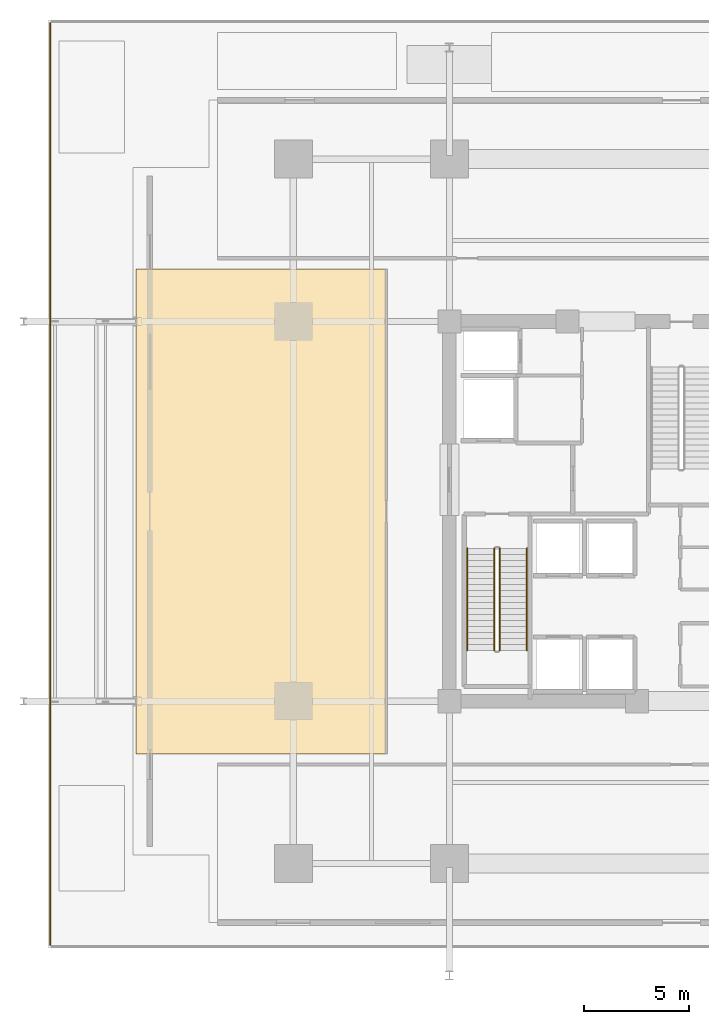
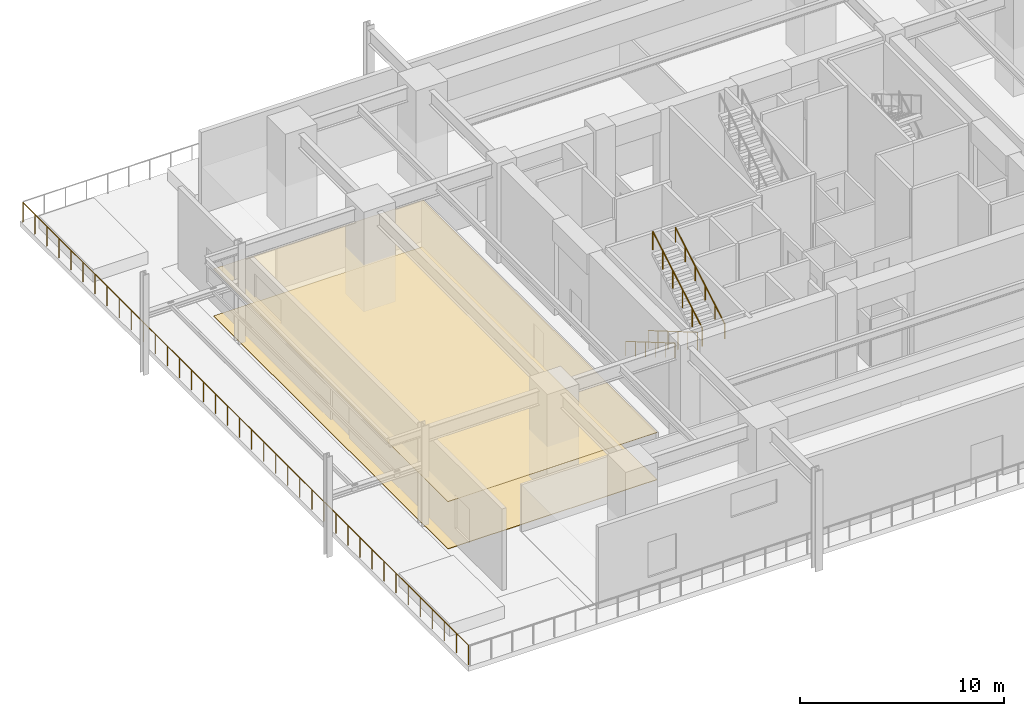
# One storey, part 12 of 14: 5 railings, 2 coverings.
"""IFC4 building model written with IfcOpenShell, lengths in metres."""

from ifc_helpers import new_model, si_unit, direction, frame, origin, origin_2d, place, context, subcontext, project, spatial, polyline, circle, outline, extrude, material, layer, layer_set, type_object, element, save


model = new_model("IFC4")

# Units and contexts
model_context = context("Model", 3, precision=1e-05, world=origin(), true_north=direction((0.0, 1.0)))
body_context = subcontext(model_context, "Body", "Model", "MODEL_VIEW")
ifc_project = project(units=[si_unit("LENGTHUNIT", "METRE"), si_unit("AREAUNIT", "SQUARE_METRE"), si_unit("VOLUMEUNIT", "CUBIC_METRE"), si_unit("PLANEANGLEUNIT", "RADIAN"), si_unit("MASSUNIT", "GRAM", prefix="KILO")], contexts=[model_context])

# Site, building, storey
site_placement = place(None, origin())
site = spatial("IfcSite", under=ifc_project, at=site_placement, CompositionType="ELEMENT")
building_placement = place(site_placement, origin())
building = spatial("IfcBuilding", under=site, at=building_placement, Name="Kovane Verandah Tower", CompositionType="ELEMENT")
storey_placement = place(building_placement, frame((0.0, 0.0, 21.60009765625)))
storey = spatial("IfcBuildingStorey", under=building, at=storey_placement, Name="L04", CompositionType="ELEMENT", Elevation=21.60009765625)

# Coverings
ifc_material_1 = material(Name="Perforated Acoustic Mineral-Fibre Ceiling Tile", Category="gypsum")
ifc_layer_1 = layer(ifc_material_1, 0.02490234375)
ifc_layer_set_1 = layer_set([ifc_layer_1], Name="Perforated Acoustic Mineral-Fibre Ceiling Tile")
covering_type_1 = type_object("IfcCoveringType", Name="CV-CEIL-25", PredefinedType="CEILING", material=ifc_layer_set_1)
covering_1_placement = place(storey_placement, frame((0.0, 0.0, 2.824951171875)))
element("IfcCovering", 1, at=covering_1_placement, inside=storey, type_object=covering_type_1, Name="L04 West Conservatory Co-Working Suite Acoustic Ceiling", PredefinedType="CEILING", context=body_context, shape_type="SweptSolid", body=[
    extrude(outline(polyline([(14.14990234375, 16.0), (26.0, 16.0), (26.0, 39.0), (14.14990234375, 39.0), (14.14990234375, 16.0)])), origin(), (0.0, 0.0, 1.0), 0.02490234375),
])
ifc_material_2 = material(Name="Polished Terrazzo and Raised-Access Carpet Tile Finish", Category="concrete")
ifc_layer_2 = layer(ifc_material_2, 0.030029296875)
ifc_layer_set_2 = layer_set([ifc_layer_2], Name="Polished Terrazzo and Raised-Access Carpet Tile Finish")
covering_type_2 = type_object("IfcCoveringType", Name="CV-FLOR-30", PredefinedType="FLOORING", material=ifc_layer_set_2)
covering_2_placement = place(storey_placement, origin())
element("IfcCovering", 2, at=covering_2_placement, inside=storey, type_object=covering_type_2, Name="L04 West Conservatory Co-Working Suite Floor Finish", PredefinedType="FLOORING", context=body_context, shape_type="SweptSolid", body=[
    extrude(outline(polyline([(14.14990234375, 16.0), (26.0, 16.0), (26.0, 39.0), (14.14990234375, 39.0), (14.14990234375, 16.0)])), origin(), (0.0, 0.0, 1.0), 0.02978515625),
])

# Railings
ifc_material_3 = material(Name="Pale-Champagne Stainless Steel and Glass Perimeter Guard", Category="steel")
railing_type_1 = type_object("IfcRailingType", Name="RL-GDN-1200", PredefinedType="GUARDRAIL", material=ifc_material_3)
railing_1_placement = place(storey_placement, frame((10.080078125, 50.659912109375, 0.0)))
element("IfcRailing", 3, at=railing_1_placement, inside=storey, type_object=railing_type_1, Name="L04 Raised Public Garden Perimeter Guard W", PredefinedType="GUARDRAIL", context=body_context, shape_type="SweptSolid", body=[
    extrude(circle(Radius=0.02392578125, at=origin_2d()), frame((0.0, 0.0, 1.17578125), z_axis=(0.0, -1.0, 0.0), x_axis=(1.0, 0.0, 0.0)), (0.0, 0.0, 1.0), 43.719970703125),
    extrude(circle(Radius=0.02099609375, at=origin_2d()), origin(), (0.0, 0.0, 1.0), 1.15185546875),
    extrude(circle(Radius=0.02099609375, at=origin_2d()), frame((0.0, -1.181640625, 0.0)), (0.0, 0.0, 1.0), 1.15185546875),
    extrude(circle(Radius=0.02099609375, at=origin_2d()), frame((0.0, -2.36328125, 0.0)), (0.0, 0.0, 1.0), 1.15185546875),
    extrude(circle(Radius=0.02099609375, at=origin_2d()), frame((0.0, -3.544921875, 0.0)), (0.0, 0.0, 1.0), 1.15185546875),
    extrude(circle(Radius=0.02099609375, at=origin_2d()), frame((0.0, -4.7265625, 0.0)), (0.0, 0.0, 1.0), 1.15185546875),
    extrude(circle(Radius=0.02099609375, at=origin_2d()), frame((0.0, -5.908203125, 0.0)), (0.0, 0.0, 1.0), 1.15185546875),
    extrude(circle(Radius=0.02099609375, at=origin_2d()), frame((0.0, -7.08984375, 0.0)), (0.0, 0.0, 1.0), 1.15185546875),
    extrude(circle(Radius=0.02099609375, at=origin_2d()), frame((0.0, -8.271240234375, 0.0)), (0.0, 0.0, 1.0), 1.15185546875),
    extrude(circle(Radius=0.02099609375, at=origin_2d()), frame((0.0, -9.452880859375, 0.0)), (0.0, 0.0, 1.0), 1.15185546875),
    extrude(circle(Radius=0.02099609375, at=origin_2d()), frame((0.0, -10.634521484375, 0.0)), (0.0, 0.0, 1.0), 1.15185546875),
    extrude(circle(Radius=0.02099609375, at=origin_2d()), frame((0.0, -11.816162109375, 0.0)), (0.0, 0.0, 1.0), 1.15185546875),
    extrude(circle(Radius=0.02099609375, at=origin_2d()), frame((0.0, -12.997802734375, 0.0)), (0.0, 0.0, 1.0), 1.15185546875),
    extrude(circle(Radius=0.02099609375, at=origin_2d()), frame((0.0, -14.179443359375, 0.0)), (0.0, 0.0, 1.0), 1.15185546875),
    extrude(circle(Radius=0.02099609375, at=origin_2d()), frame((0.0, -15.361083984375, 0.0)), (0.0, 0.0, 1.0), 1.15185546875),
    extrude(circle(Radius=0.02099609375, at=origin_2d()), frame((0.0, -16.542724609375, 0.0)), (0.0, 0.0, 1.0), 1.15185546875),
    extrude(circle(Radius=0.02099609375, at=origin_2d()), frame((0.0, -17.724365234375, 0.0)), (0.0, 0.0, 1.0), 1.15185546875),
    extrude(circle(Radius=0.02099609375, at=origin_2d()), frame((0.0, -18.906005859375, 0.0)), (0.0, 0.0, 1.0), 1.15185546875),
    extrude(circle(Radius=0.02099609375, at=origin_2d()), frame((0.0, -20.087646484375, 0.0)), (0.0, 0.0, 1.0), 1.15185546875),
    extrude(circle(Radius=0.02099609375, at=origin_2d()), frame((0.0, -21.269287109375, 0.0)), (0.0, 0.0, 1.0), 1.15185546875),
    extrude(circle(Radius=0.02099609375, at=origin_2d()), frame((0.0, -22.45068359375, 0.0)), (0.0, 0.0, 1.0), 1.15185546875),
    extrude(circle(Radius=0.02099609375, at=origin_2d()), frame((0.0, -23.63232421875, 0.0)), (0.0, 0.0, 1.0), 1.15185546875),
    extrude(circle(Radius=0.02099609375, at=origin_2d()), frame((0.0, -24.81396484375, 0.0)), (0.0, 0.0, 1.0), 1.15185546875),
    extrude(circle(Radius=0.02099609375, at=origin_2d()), frame((0.0, -25.99560546875, 0.0)), (0.0, 0.0, 1.0), 1.15185546875),
    extrude(circle(Radius=0.02099609375, at=origin_2d()), frame((0.0, -27.17724609375, 0.0)), (0.0, 0.0, 1.0), 1.15185546875),
    extrude(circle(Radius=0.02099609375, at=origin_2d()), frame((0.0, -28.35888671875, 0.0)), (0.0, 0.0, 1.0), 1.15185546875),
    extrude(circle(Radius=0.02099609375, at=origin_2d()), frame((0.0, -29.54052734375, 0.0)), (0.0, 0.0, 1.0), 1.15185546875),
    extrude(circle(Radius=0.02099609375, at=origin_2d()), frame((0.0, -30.72216796875, 0.0)), (0.0, 0.0, 1.0), 1.15185546875),
    extrude(circle(Radius=0.02099609375, at=origin_2d()), frame((0.0, -31.90380859375, 0.0)), (0.0, 0.0, 1.0), 1.15185546875),
    extrude(circle(Radius=0.02099609375, at=origin_2d()), frame((0.0, -33.08544921875, 0.0)), (0.0, 0.0, 1.0), 1.15185546875),
    extrude(circle(Radius=0.02099609375, at=origin_2d()), frame((0.0, -34.26708984375, 0.0)), (0.0, 0.0, 1.0), 1.15185546875),
    extrude(circle(Radius=0.02099609375, at=origin_2d()), frame((0.0, -35.44873046875, 0.0)), (0.0, 0.0, 1.0), 1.15185546875),
    extrude(circle(Radius=0.02099609375, at=origin_2d()), frame((0.0, -36.630126953125, 0.0)), (0.0, 0.0, 1.0), 1.15185546875),
    extrude(circle(Radius=0.02099609375, at=origin_2d()), frame((0.0, -37.811767578125, 0.0)), (0.0, 0.0, 1.0), 1.15185546875),
    extrude(circle(Radius=0.02099609375, at=origin_2d()), frame((0.0, -38.993408203125, 0.0)), (0.0, 0.0, 1.0), 1.15185546875),
    extrude(circle(Radius=0.02099609375, at=origin_2d()), frame((0.0, -40.175048828125, 0.0)), (0.0, 0.0, 1.0), 1.15185546875),
    extrude(circle(Radius=0.02099609375, at=origin_2d()), frame((0.0, -41.356689453125, 0.0)), (0.0, 0.0, 1.0), 1.15185546875),
    extrude(circle(Radius=0.02099609375, at=origin_2d()), frame((0.0, -42.538330078125, 0.0)), (0.0, 0.0, 1.0), 1.15185546875),
    extrude(circle(Radius=0.02099609375, at=origin_2d()), frame((0.0, -43.719970703125, 0.0)), (0.0, 0.0, 1.0), 1.15185546875),
])
ifc_material_4 = material(Name="Brushed Stainless Steel Handrail", Category="steel")
railing_type_2 = type_object("IfcRailingType", Name="RL-HAND-920", PredefinedType="HANDRAIL", material=ifc_material_4)
railing_2_placement = place(storey_placement, frame((29.85009765625, 25.75, 0.16650390625)))
element("IfcRailing", 4, at=railing_2_placement, inside=storey, type_object=railing_type_2, Name="L04 ST-01 stair handrail 1", PredefinedType="HANDRAIL", context=body_context, shape_type="SweptSolid", body=[
    extrude(circle(Radius=0.02392578125, at=origin_2d()), frame((0.0, 0.0, 0.8759765625), z_axis=(0.0, -0.863215142801, 0.504836228136), x_axis=(1.0, 0.0, 0.0)), (0.0, 0.0, 1.0), 5.61279296875),
    extrude(circle(Radius=0.02099609375, at=origin_2d()), origin(), (0.0, 0.0, 1.0), 0.851806640625),
    extrude(circle(Radius=0.02099609375, at=origin_2d()), frame((0.0, -0.968994140625, 0.566650390625)), (0.0, 0.0, 1.0), 0.851806640625),
    extrude(circle(Radius=0.02099609375, at=origin_2d()), frame((0.0, -1.93798828125, 1.13330078125)), (0.0, 0.0, 1.0), 0.851806640625),
    extrude(circle(Radius=0.02099609375, at=origin_2d()), frame((0.0, -2.906982421875, 1.7001953125)), (0.0, 0.0, 1.0), 0.851806640625),
    extrude(circle(Radius=0.02099609375, at=origin_2d()), frame((0.0, -3.8759765625, 2.266845703125)), (0.0, 0.0, 1.0), 0.851806640625),
    extrude(circle(Radius=0.02099609375, at=origin_2d()), frame((0.0, -4.844970703125, 2.83349609375)), (0.0, 0.0, 1.0), 0.851806640625),
])
railing_3_placement = place(storey_placement, frame((32.669921875, 20.905029296875, 3.16650390625)))
element("IfcRailing", 5, at=railing_3_placement, inside=storey, type_object=railing_type_2, Name="L04 ST-01 stair handrail 2", PredefinedType="HANDRAIL", context=body_context, shape_type="SweptSolid", body=[
    extrude(circle(Radius=0.02392578125, at=origin_2d()), frame((0.0, 0.0, 0.8759765625), z_axis=(0.0, 0.863215142801, 0.504836228136), x_axis=(-1.0, 0.0, 0.0)), (0.0, 0.0, 1.0), 5.61279296875),
    extrude(circle(Radius=0.02099609375, at=origin_2d()), origin(), (0.0, 0.0, 1.0), 0.851806640625),
    extrude(circle(Radius=0.02099609375, at=origin_2d()), frame((0.0, 0.968994140625, 0.566650390625)), (0.0, 0.0, 1.0), 0.851806640625),
    extrude(circle(Radius=0.02099609375, at=origin_2d()), frame((0.0, 1.93798828125, 1.13330078125)), (0.0, 0.0, 1.0), 0.851806640625),
    extrude(circle(Radius=0.02099609375, at=origin_2d()), frame((0.0, 2.906982421875, 1.7001953125)), (0.0, 0.0, 1.0), 0.851806640625),
    extrude(circle(Radius=0.02099609375, at=origin_2d()), frame((0.0, 3.8759765625, 2.266845703125)), (0.0, 0.0, 1.0), 0.851806640625),
    extrude(circle(Radius=0.02099609375, at=origin_2d()), frame((0.0, 4.844970703125, 2.83349609375)), (0.0, 0.0, 1.0), 0.851806640625),
])
ifc_material_5 = material(Name="Painted Steel Stairwell Guardrail", Category="steel")
railing_type_3 = type_object("IfcRailingType", Name="RL-STGUARD-1120", PredefinedType="GUARDRAIL", material=ifc_material_5)
railing_4_placement = place(storey_placement, frame((31.1298828125, 25.75, 0.16650390625)))
element("IfcRailing", 6, at=railing_4_placement, inside=storey, type_object=railing_type_3, Name="L04 ST-01 stair guard 1", PredefinedType="GUARDRAIL", context=body_context, shape_type="SweptSolid", body=[
    extrude(circle(Radius=0.02392578125, at=origin_2d()), frame((0.0, 0.0, 1.076171875), z_axis=(0.0, -0.863215142801, 0.504836228136), x_axis=(1.0, 0.0, 0.0)), (0.0, 0.0, 1.0), 5.61279296875),
    extrude(circle(Radius=0.02099609375, at=origin_2d()), origin(), (0.0, 0.0, 1.0), 1.052001953125),
    extrude(circle(Radius=0.02099609375, at=origin_2d()), frame((0.0, -0.968994140625, 0.566650390625)), (0.0, 0.0, 1.0), 1.052001953125),
    extrude(circle(Radius=0.02099609375, at=origin_2d()), frame((0.0, -1.93798828125, 1.13330078125)), (0.0, 0.0, 1.0), 1.052001953125),
    extrude(circle(Radius=0.02099609375, at=origin_2d()), frame((0.0, -2.906982421875, 1.7001953125)), (0.0, 0.0, 1.0), 1.052001953125),
    extrude(circle(Radius=0.02099609375, at=origin_2d()), frame((0.0, -3.8759765625, 2.266845703125)), (0.0, 0.0, 1.0), 1.052001953125),
    extrude(circle(Radius=0.02099609375, at=origin_2d()), frame((0.0, -4.844970703125, 2.83349609375)), (0.0, 0.0, 1.0), 1.052001953125),
])
railing_5_placement = place(storey_placement, frame((31.389892578125, 20.905029296875, 3.16650390625)))
element("IfcRailing", 7, at=railing_5_placement, inside=storey, type_object=railing_type_3, Name="L04 ST-01 stair guard 3", PredefinedType="GUARDRAIL", context=body_context, shape_type="SweptSolid", body=[
    extrude(circle(Radius=0.02392578125, at=origin_2d()), frame((0.0, 0.0, 1.076171875), z_axis=(0.0, 0.863215142801, 0.504836228136), x_axis=(-1.0, 0.0, 0.0)), (0.0, 0.0, 1.0), 5.61279296875),
    extrude(circle(Radius=0.02099609375, at=origin_2d()), origin(), (0.0, 0.0, 1.0), 1.052001953125),
    extrude(circle(Radius=0.02099609375, at=origin_2d()), frame((0.0, 0.968994140625, 0.566650390625)), (0.0, 0.0, 1.0), 1.052001953125),
    extrude(circle(Radius=0.02099609375, at=origin_2d()), frame((0.0, 1.93798828125, 1.13330078125)), (0.0, 0.0, 1.0), 1.052001953125),
    extrude(circle(Radius=0.02099609375, at=origin_2d()), frame((0.0, 2.906982421875, 1.7001953125)), (0.0, 0.0, 1.0), 1.052001953125),
    extrude(circle(Radius=0.02099609375, at=origin_2d()), frame((0.0, 3.8759765625, 2.266845703125)), (0.0, 0.0, 1.0), 1.052001953125),
    extrude(circle(Radius=0.02099609375, at=origin_2d()), frame((0.0, 4.844970703125, 2.83349609375)), (0.0, 0.0, 1.0), 1.052001953125),
])

save(model, "model.ifc")
